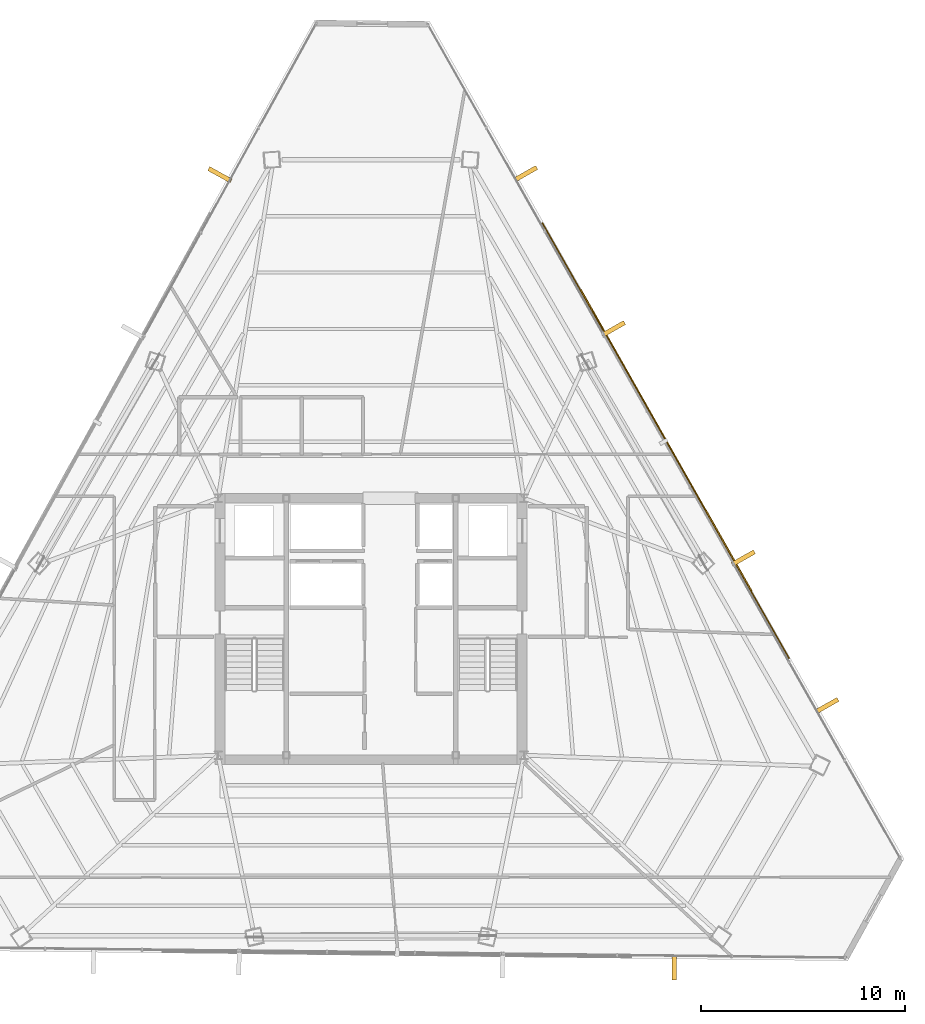
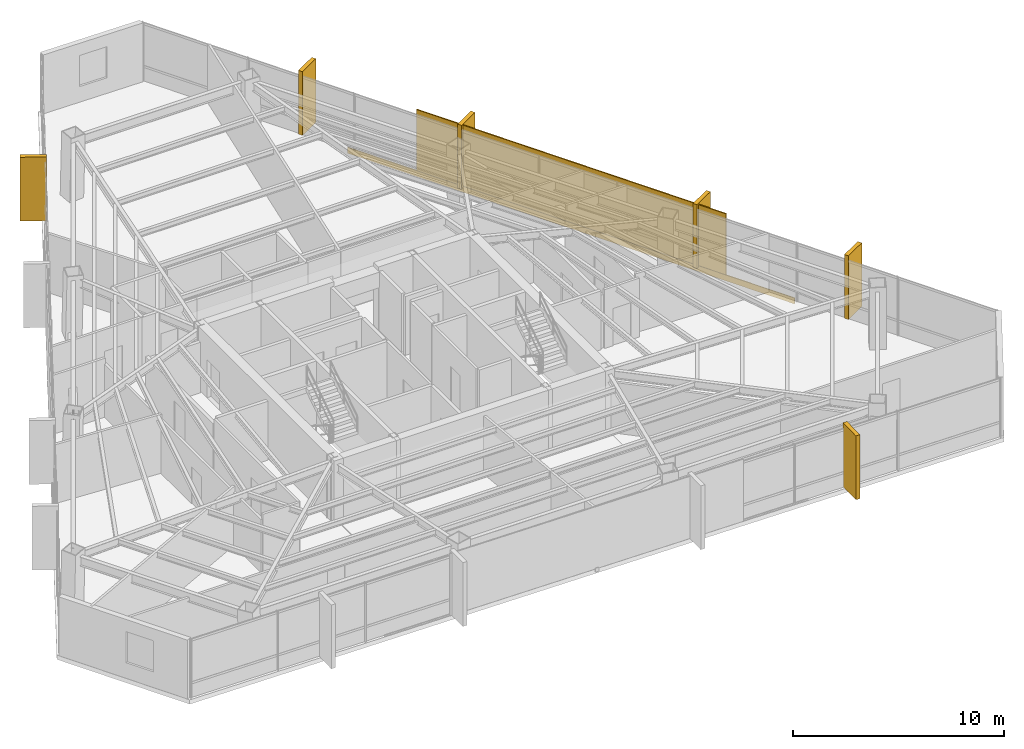
# One storey, part 40 of 40: 7 coverings, 1 shading device.
"""IFC4 building model written with IfcOpenShell, lengths in metres."""

from ifc_helpers import new_model, si_unit, direction, frame, origin, origin_2d, place, context, subcontext, project, spatial, rectangle, extrude, source, transform, mapped, material, layer, layer_set, type_object, type_shapes, element, save


model = new_model("IFC4")

# Units and contexts
model_context = context("Model", 3, precision=1e-05, world=origin(), true_north=direction((0.0, 1.0)))
body_context = subcontext(model_context, "Body", "Model", "MODEL_VIEW")
ifc_project = project(units=[si_unit("LENGTHUNIT", "METRE"), si_unit("AREAUNIT", "SQUARE_METRE"), si_unit("VOLUMEUNIT", "CUBIC_METRE"), si_unit("PLANEANGLEUNIT", "RADIAN"), si_unit("MASSUNIT", "GRAM", prefix="KILO")], contexts=[model_context])

# Site, building, storey
site_placement = place(None, origin())
site = spatial("IfcSite", under=ifc_project, at=site_placement, CompositionType="ELEMENT")
building_placement = place(site_placement, origin())
building = spatial("IfcBuilding", under=site, at=building_placement, Name="Caelisora Broadcast Tower", CompositionType="ELEMENT")
storey_placement = place(building_placement, frame((0.0, 0.0, 213.25)))
storey = spatial("IfcBuildingStorey", under=building, at=storey_placement, Name="L56", CompositionType="ELEMENT", Elevation=213.25)

# Coverings
ifc_material_1 = material(Name="Kiln-Fired Terracotta Spandrel Rainscreen Cladding", Category="ceramic")
ifc_layer_1 = layer(ifc_material_1, 0.044921875, Name="Kiln-Fired Terracotta Spandrel Rainscreen Cladding")
ifc_layer_set_1 = layer_set([ifc_layer_1], Name="Kiln-Fired Terracotta Spandrel Rainscreen Cladding")
covering_type = type_object("IfcCoveringType", Name="CL-1", PredefinedType="CLADDING", material=ifc_layer_set_1)
shared_shape_1 = source(origin(), body_context, "Body", "SweptSolid", [
    extrude(rectangle(XDim=0.219970703125, YDim=1.25, at=origin_2d()), origin(), (0.0, 0.0, 1.0), 3.68994140625),
])
for number, where, z_axis, x_axis, name in (
    (1, (45.580078125, 45.911865234375, -0.02001953125), (0.0, 0.0, 1.0), (0.492879209759, -0.870097744272, 0.0), "L56 vertical solar fin cladding #1-1"),
    (2, (49.88916015625, 38.306640625, -0.02001953125), (0.0, 0.0, 1.0), (0.492879209759, -0.870097744272, 0.0), "L56 vertical solar fin cladding #1-2"),
    (3, (56.2587890625, 27.064208984375, -0.02001953125), (0.0, 0.0, 1.0), (0.492879209759, -0.870097744272, 0.0), "L56 vertical solar fin cladding #1-3"),
    (4, (60.35791015625, 19.8291015625, -0.02001953125), (0.0, 0.0, 1.0), (0.492879209759, -0.870097744272, 0.0), "L56 vertical solar fin cladding #1-4"),
    (5, (52.865966796875, 7.00048828125, -0.02001953125), (0.0, 0.0, 1.0), (-0.99993365506, 0.011518918316, 0.0), "L56 vertical solar fin cladding #2-1"),
    (6, (30.586669921875, 45.865478515625, -0.02001953125), (0.0, 0.0, 1.0), (0.482976759048, 0.875633171036, 0.0), "L56 vertical solar fin cladding #3-4"),
):
    element("IfcCovering", number, at=place(storey_placement, frame(where, z_axis=z_axis, x_axis=x_axis)), inside=storey, type_object=covering_type, Name=name, PredefinedType="CLADDING", context=body_context, shape_type="MappedRepresentation", body=[
        mapped(shared_shape_1, transform((0.0, 0.0, 0.0), scale=1.0)),
    ])

# Shading device
ifc_material_2 = material(Name="Perforated Glazed Terracotta Baguette Solar Screen", Category="ceramic")
ifc_layer_2 = layer(ifc_material_2, 0.06494140625, Name="Perforated Glazed Terracotta Baguette Solar Screen")
ifc_layer_set_2 = layer_set([ifc_layer_2], Name="Perforated Glazed Terracotta Baguette Solar Screen")
shading_device_type = type_object("IfcShadingDeviceType", Name="SS-1", PredefinedType="USERDEFINED", material=ifc_layer_set_2)
shared_shape_2 = source(origin(), body_context, "Body", "SweptSolid", [
    extrude(rectangle(XDim=16.993896484375, YDim=0.06494140625, at=origin_2d()), origin(), (0.0, 0.0, 1.0), 3.590087890625),
])
type_shapes(shading_device_type, [shared_shape_2])
shading_device_placement = place(storey_placement, frame((52.47216796875, 32.834716796875, 0.0), z_axis=(0.0, 0.0, 1.0), x_axis=(-0.493031062956, 0.87001170737, 0.0)))
element("IfcShadingDevice", 7, at=shading_device_placement, inside=storey, type_object=shading_device_type, Name="L56 perforated terracotta solar screen #3", ObjectType="SOLAR SCREEN", PredefinedType="USERDEFINED", context=body_context, shape_type="MappedRepresentation", body=[
    mapped(shared_shape_2, transform((0.0, 0.0, 0.0), scale=1.0)),
])

# Covering
shared_shape_3 = source(origin(), body_context, "Body", "SweptSolid", [
    extrude(rectangle(XDim=24.547119140625, YDim=0.044921875, at=origin_2d()), origin(), (0.0, 0.0, 1.0), 0.340087890625),
])
type_shapes(covering_type, [shared_shape_1, shared_shape_3])
covering_placement = place(storey_placement, frame((52.454833984375, 32.824951171875, -0.27001953125), z_axis=(0.0, 0.0, 1.0), x_axis=(-0.493031062956, 0.87001170737, 0.0)))
element("IfcCovering", 8, at=covering_placement, inside=storey, type_object=covering_type, Name="L56 terracotta spandrel rainscreen #3", PredefinedType="CLADDING", context=body_context, shape_type="MappedRepresentation", body=[
    mapped(shared_shape_3, transform((0.0, 0.0, 0.0), scale=1.0)),
])

save(model, "model.ifc")
